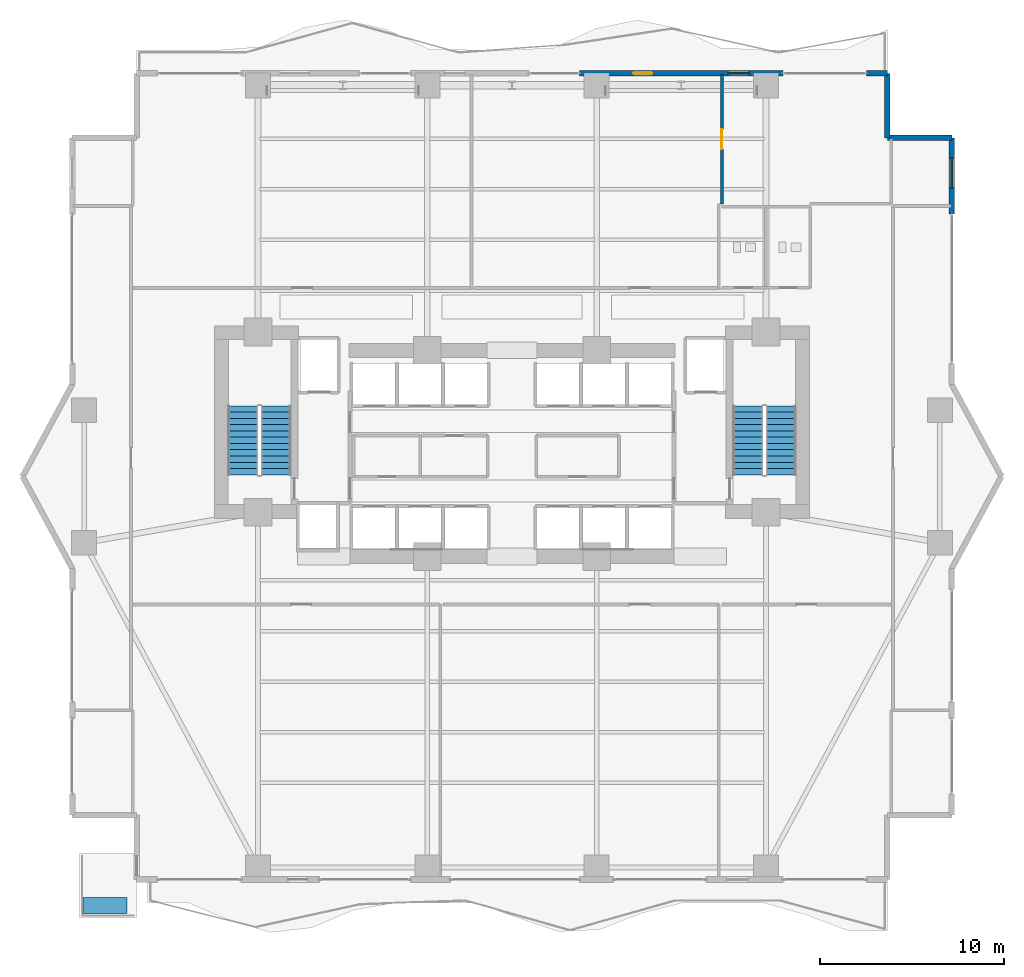
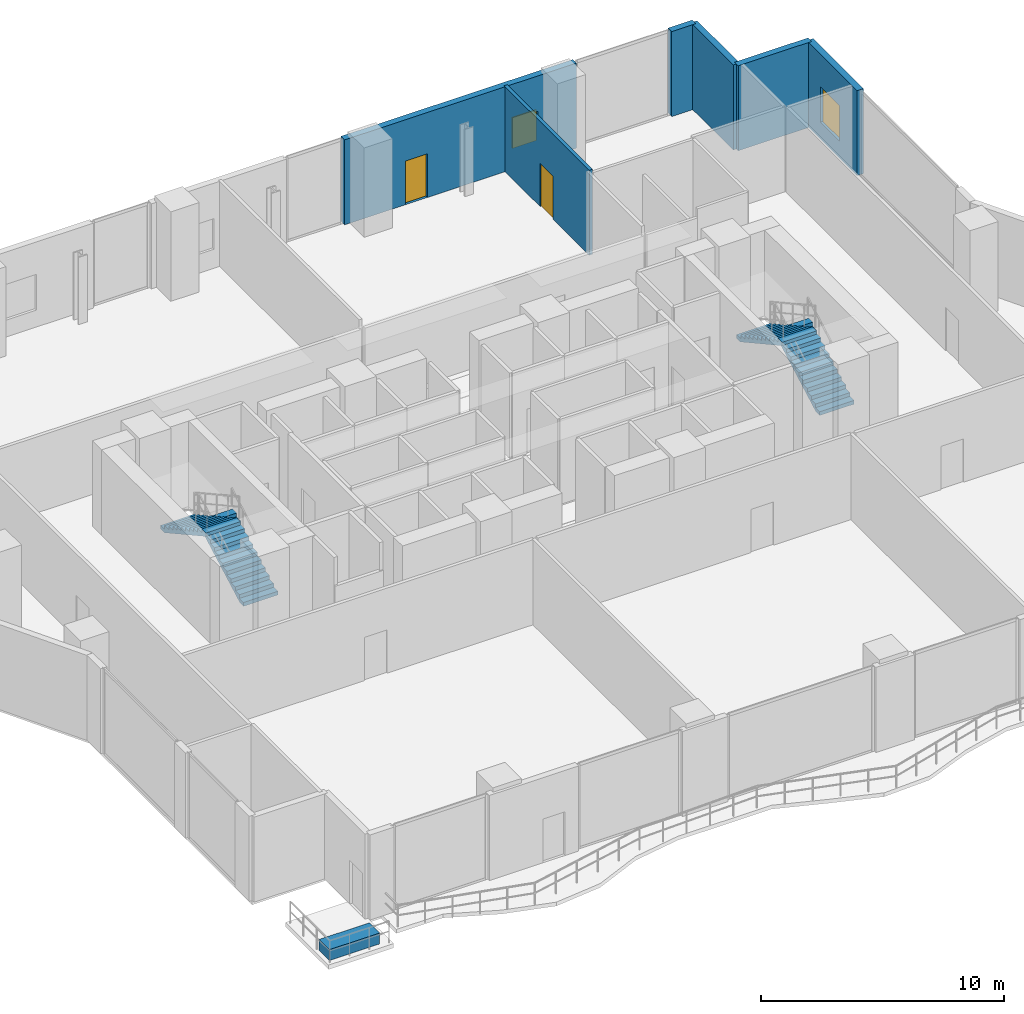
# One storey, part 29 of 33: 6 walls, 4 stair flights, 2 doors, 2 windows, 1 building element part, 4 openings, 2 elements without a shape of their own.
"""IFC4 building model written with IfcOpenShell, lengths in metres."""

import ifcopenshell
import ifcopenshell.guid

model = None  # the IFC model being written
_history = None  # IfcOwnerHistory: only IFC2X3 demands one
_inside = {}  # id of a spatial element -> (the spatial element, [elements in it])
_under = {}  # id of a project, library or spatial element -> (it, [spatial elements below it])
_declared = {}  # id of a project -> (the project, [libraries it declares])
_typed = {}  # id of a type object -> (the type object, [elements of that type])
_made_of = {}  # id of a material, layer set ... -> (it, [elements and type objects made of it])


def new_model(schema):
    """Start an empty IFC model of exactly this schema.

    Asked for "IFC4X3", IfcOpenShell would pick the latest addendum, in which some entities
    have other attributes; the version numbers below select the first issue.
    IFC2X3 requires an IfcOwnerHistory on every rooted entity: one is made here for all.
    """
    global model, _history
    if schema == "IFC4X3":
        model = ifcopenshell.file(schema_version=(4, 3, 0, 0))
    else:
        model = ifcopenshell.file(schema=schema)
    _inside.clear()
    _under.clear()
    _declared.clear()
    _typed.clear()
    _made_of.clear()
    _history = None
    if model.schema == "IFC2X3":
        org = make("IfcOrganization", Name="unknown")
        user = make(
            "IfcPersonAndOrganization",
            ThePerson=make("IfcPerson", FamilyName="unknown"),
            TheOrganization=org,
        )
        app = make(
            "IfcApplication",
            ApplicationDeveloper=org,
            Version="unknown",
            ApplicationFullName="unknown",
            ApplicationIdentifier="unknown",
        )
        _history = make(
            "IfcOwnerHistory",
            OwningUser=user,
            OwningApplication=app,
            ChangeAction="ADDED",
            CreationDate=0,
        )
    return model


def make(cls, **values):
    """One entity of the class cls with the attributes given. An attribute that is None is left unset."""
    return model.create_entity(
        cls, **{name: value for name, value in values.items() if value is not None}
    )


def rooted(cls, **values):
    """An entity with a GlobalId (a new one), such as an element, a storey or a relation."""
    return make(cls, GlobalId=ifcopenshell.guid.new(), OwnerHistory=_history, **values)


def si_unit(unit_type, name, prefix=None):
    """IfcSIUnit, for example si_unit("LENGTHUNIT", "METRE", prefix="MILLI")."""
    return make("IfcSIUnit", UnitType=unit_type, Prefix=prefix, Name=name)


def assignment(units):
    """IfcUnitAssignment: the units of a project."""
    return None if units is None else make("IfcUnitAssignment", Units=units)


def point(xyz):
    """IfcCartesianPoint."""
    return None if xyz is None else make("IfcCartesianPoint", Coordinates=xyz)


def direction(xyz):
    """IfcDirection."""
    return None if xyz is None else make("IfcDirection", DirectionRatios=xyz)


def frame(location, z_axis=None, x_axis=None):
    """IfcAxis2Placement3D, a coordinate frame: its origin and axes. An axis left out is left unset."""
    return make(
        "IfcAxis2Placement3D",
        Location=point(location),
        Axis=direction(z_axis),
        RefDirection=direction(x_axis),
    )


def frame_2d(location, x_axis=None):
    """IfcAxis2Placement2D, a coordinate frame in the plane: its origin and x axis."""
    return make(
        "IfcAxis2Placement2D", Location=point(location), RefDirection=direction(x_axis)
    )


def origin():
    """The frame at (0, 0, 0) with its axes left unset."""
    return frame((0.0, 0.0, 0.0))


def origin_2d():
    """The frame at (0, 0) in the plane with its x axis left unset."""
    return frame_2d((0.0, 0.0))


def place(relative_to, where):
    """IfcLocalPlacement: puts the frame where relative to a parent placement (None: the world)."""
    return make(
        "IfcLocalPlacement", PlacementRelTo=relative_to, RelativePlacement=where
    )


def context(
    kind, dimensions, precision=None, world=None, true_north=None, identifier=None
):
    """IfcGeometricRepresentationContext, for example the 3D "Model" context."""
    return make(
        "IfcGeometricRepresentationContext",
        ContextIdentifier=identifier,
        ContextType=kind,
        CoordinateSpaceDimension=dimensions,
        Precision=precision,
        WorldCoordinateSystem=world,
        TrueNorth=true_north,
    )


def subcontext(parent, identifier, kind, view, scale=None):
    """IfcGeometricRepresentationSubContext, for example "Body" below "Model"."""
    return make(
        "IfcGeometricRepresentationSubContext",
        ContextIdentifier=identifier,
        ContextType=kind,
        ParentContext=parent,
        TargetScale=scale,
        TargetView=view,
    )


def project(units=None, contexts=None):
    """IfcProject with its units and contexts."""
    return rooted(
        "IfcProject",
        Name="project",
        RepresentationContexts=contexts,
        UnitsInContext=assignment(units),
    )


def spatial(cls, under=None, at=None, **own):
    """A site, building, storey or space (cls), placed at a placement, below another one or the project."""
    s = rooted(cls, ObjectPlacement=at, **own)
    if under is not None:
        _under.setdefault(under.id(), (under, []))[1].append(s)
    return s


def polyline(points):
    """IfcPolyline through the points."""
    return make("IfcPolyline", Points=[point(p) for p in points])


def profile(cls, at=None, kind="AREA", **sizes):
    """A parametric profile (cls). Its sizes go by their IFC names, for example OverallWidth=200.0."""
    return make(cls, ProfileType=kind, Position=at, **sizes)


def rectangle(**sizes):
    """IfcRectangleProfileDef."""
    return profile("IfcRectangleProfileDef", **sizes)


def outline(outer, holes=None, kind="AREA"):
    """IfcArbitraryClosedProfileDef: a profile drawn as a closed curve; with holes, ...WithVoids."""
    if holes is None:
        return make("IfcArbitraryClosedProfileDef", ProfileType=kind, OuterCurve=outer)
    return make(
        "IfcArbitraryProfileDefWithVoids",
        ProfileType=kind,
        OuterCurve=outer,
        InnerCurves=holes,
    )


def extrude(swept, where, along, depth):
    """IfcExtrudedAreaSolid: the profile swept, set in the frame where, extruded along a direction by depth."""
    return make(
        "IfcExtrudedAreaSolid",
        SweptArea=swept,
        Position=where,
        ExtrudedDirection=direction(along),
        Depth=depth,
    )


def shape(context_of_items, identifier, shape_type, items):
    """IfcShapeRepresentation: the items that make up one representation, for example the "Body"."""
    return make(
        "IfcShapeRepresentation",
        ContextOfItems=context_of_items,
        RepresentationIdentifier=identifier,
        RepresentationType=shape_type,
        Items=items,
    )


def material(Name=None, Category=None):
    """IfcMaterial."""
    return make("IfcMaterial", Name=Name, Category=Category)


def layer(
    of_material, thickness, ventilated=None, Name=None, Category=None, Priority=None
):
    """IfcMaterialLayer: one layer of a wall or slab, of a material (None: an air gap)."""
    return make(
        "IfcMaterialLayer",
        Material=of_material,
        LayerThickness=thickness,
        IsVentilated=ventilated,
        Name=Name,
        Category=Category,
        Priority=Priority,
    )


def layer_set(layers, Name=None):
    """IfcMaterialLayerSet."""
    return make("IfcMaterialLayerSet", MaterialLayers=layers, LayerSetName=Name)


def made_of(thing, what):
    """Note that an element or type object is made of a material, layer set ...; save() writes the relation."""
    if what is not None:
        _made_of.setdefault(what.id(), (what, []))[1].append(thing)
    return thing


def type_object(cls, material=None, **own):
    """A type object (cls), such as IfcWallType, which elements share."""
    return made_of(rooted(cls, **own), material)


def element(
    cls,
    number,
    at=None,
    inside=None,
    cuts=None,
    type_object=None,
    material=None,
    context=None,
    identifier="Body",
    shape_type=None,
    held_by="IfcProductDefinitionShape",
    body=None,
    shapes=None,
    **own,
):
    """One element of the class cls, such as IfcWall. Its Tag is "e" and its number.

    at: its placement. inside: the storey or other place that contains it. cuts: it is an
    opening in that element (IfcRelVoidsElement). A single representation is given by context,
    identifier, shape_type and body (its items); several are given by shapes. held_by: the class
    of the entity that holds the representations. save() writes the other relations.
    """
    e = rooted(cls, Tag="e%d" % number, ObjectPlacement=at, **own)
    if body is not None:
        shapes = [shape(context, identifier, shape_type, body)]
    if shapes is not None:
        e.Representation = make(held_by, Representations=shapes)
    if inside is not None:
        _inside.setdefault(inside.id(), (inside, []))[1].append(e)
    if cuts is not None:
        rooted(
            "IfcRelVoidsElement", RelatingBuildingElement=cuts, RelatedOpeningElement=e
        )
    if type_object is not None:
        _typed.setdefault(type_object.id(), (type_object, []))[1].append(e)
    return made_of(e, material)


def fill(opening, filler):
    """IfcRelFillsElement: the door or window that sits in an opening."""
    return rooted(
        "IfcRelFillsElement",
        RelatingOpeningElement=opening,
        RelatedBuildingElement=filler,
    )


def aggregate(whole, parts):
    """IfcRelAggregates: a whole, such as a stair, and the parts it consists of."""
    return rooted("IfcRelAggregates", RelatingObject=whole, RelatedObjects=parts)


def save(model, path):
    """Write the relations noted so far, then the file.

    IfcRelAggregates (storeys below a building ...), IfcRelContainedInSpatialStructure (elements
    in a storey), IfcRelDefinesByType, IfcRelAssociatesMaterial and IfcRelDeclares: one each for
    every whole, place, type object, material and project.
    """
    for whole, parts in _under.values():
        aggregate(whole, parts)
    for where, things in _inside.values():
        rooted(
            "IfcRelContainedInSpatialStructure",
            RelatedElements=things,
            RelatingStructure=where,
        )
    for kind, things in _typed.values():
        rooted("IfcRelDefinesByType", RelatedObjects=things, RelatingType=kind)
    for what, things in _made_of.values():
        rooted("IfcRelAssociatesMaterial", RelatedObjects=things, RelatingMaterial=what)
    for by, libraries in _declared.values():
        rooted("IfcRelDeclares", RelatingContext=by, RelatedDefinitions=libraries)
    model.write(path)


model = new_model("IFC4")

# Units and contexts
model_context = context("Model", 3, precision=1e-05, world=origin(), true_north=direction((0.0, 1.0)))
body_context = subcontext(model_context, "Body", "Model", "MODEL_VIEW")
ifc_project = project(units=[si_unit("LENGTHUNIT", "METRE"), si_unit("AREAUNIT", "SQUARE_METRE"), si_unit("VOLUMEUNIT", "CUBIC_METRE"), si_unit("PLANEANGLEUNIT", "RADIAN"), si_unit("MASSUNIT", "GRAM", prefix="KILO")], contexts=[model_context])

# Site, building, storey
site_placement = place(None, origin())
site = spatial("IfcSite", under=ifc_project, at=site_placement, CompositionType="ELEMENT")
building_placement = place(site_placement, origin())
building = spatial("IfcBuilding", under=site, at=building_placement, Name="Zuhayl Quay Hotel", CompositionType="ELEMENT")
storey_placement = place(building_placement, frame((0.0, 0.0, 154.050048828125)))
storey = spatial("IfcBuildingStorey", under=building, at=storey_placement, Name="L39", CompositionType="ELEMENT", Elevation=154.050048828125)

# Wall, openings, door, window
ifc_material_1 = material(Name="Precast concrete C45/55", Category="concrete")
ifc_layer_1 = layer(ifc_material_1, 0.300048828125, Name="Precast concrete C45/55", Category="concrete")
ifc_layer_set_1 = layer_set([ifc_layer_1], Name="Precast concrete C45/55")
wall_type_1 = type_object("IfcWallType", Name="WL_EXT_300", PredefinedType="STANDARD", material=ifc_layer_set_1)
wall_1_placement = place(storey_placement, frame((3.679931640625, 28.39990234375, 0.0), z_axis=(0.0, 0.0, 1.0), x_axis=(1.0, 0.0, 0.0)))
wall_1 = element("IfcWall", 1, at=wall_1_placement, inside=storey, type_object=wall_type_1, Name="L39 Exterior Precast Wall ENV_L39_N_EW4", PredefinedType="STANDARD", context=body_context, shape_type="SweptSolid", body=[
    extrude(rectangle(XDim=11.0400390625, YDim=0.300048828125, at=frame_2d((5.52001953125, 0.0))), origin(), (0.0, 0.0, 1.0), 4.280029296875),
])
opening_1_placement = place(wall_1_placement, frame((2.89501953125, 0.0, 0.0)))
opening_1 = element("IfcOpeningElement", 2, at=opening_1_placement, cuts=wall_1, Name="Opening DG1", PredefinedType="OPENING", context=body_context, shape_type="SweptSolid", body=[
    extrude(rectangle(XDim=1.050048828125, YDim=2.199951171875, at=frame_2d((0.52490234375, 1.10009765625))), frame((0.0, 0.159912109375, 0.0), z_axis=(0.0, -1.0, 0.0), x_axis=(1.0, 0.0, 0.0)), (0.0, 0.0, 1.0), 0.320068359375),
])
opening_2_placement = place(wall_1_placement, frame((8.054931640625, 0.0, 0.949951171875)))
opening_2 = element("IfcOpeningElement", 3, at=opening_2_placement, cuts=wall_1, Name="Opening W01N", PredefinedType="OPENING", context=body_context, shape_type="SweptSolid", body=[
    extrude(rectangle(XDim=1.14990234375, YDim=1.550048828125, at=frame_2d((0.574951171875, 0.77490234375))), frame((0.0, 0.159912109375, 0.0), z_axis=(0.0, -1.0, 0.0), x_axis=(1.0, 0.0, 0.0)), (0.0, 0.0, 1.0), 0.320068359375),
])
ifc_material_2 = material(Name="Anodised Aluminium and Dark Solar Glass", Category="aluminium")
door_type_1 = type_object("IfcDoorType", Name="DR_EXT_TERR_1050", OperationType="NOTDEFINED", PredefinedType="DOOR", material=ifc_material_2)
door_1_placement = place(opening_1_placement, origin())
door_1 = element("IfcDoor", 4, at=door_1_placement, inside=storey, type_object=door_type_1, Name="L39 North Rippling Balcony Door", OperationType="SINGLE_SWING_LEFT", OverallHeight=2.199951171875, OverallWidth=1.050048828125, PredefinedType="DOOR", context=body_context, shape_type="SweptSolid", body=[
    extrude(rectangle(XDim=1.050048828125, YDim=2.199951171875, at=frame_2d((0.52490234375, 1.10009765625))), frame((0.0, 0.02490234375, 0.0), z_axis=(0.0, -1.0, 0.0), x_axis=(1.0, 0.0, 0.0)), (0.0, 0.0, 1.0), 0.050048828125),
])
fill(opening_1, door_1)
ifc_material_3 = material(Name="Dark Ceramic-Fritted Solar Glass", Category="glass")
window_type_1 = type_object("IfcWindowType", Name="WN_NOTCH_1350", PartitioningType="SINGLE_PANEL", PredefinedType="WINDOW", material=ifc_material_3)
window_1_placement = place(opening_2_placement, origin())
window_1 = element("IfcWindow", 5, at=window_1_placement, inside=storey, type_object=window_type_1, Name="L39 Operable Facade Window 4-1", OverallHeight=1.550048828125, OverallWidth=1.14990234375, PartitioningType="SINGLE_PANEL", PredefinedType="WINDOW", context=body_context, shape_type="SweptSolid", body=[
    extrude(rectangle(XDim=1.14990234375, YDim=1.550048828125, at=frame_2d((0.574951171875, 0.77490234375))), frame((0.0, 0.030029296875, 0.0), z_axis=(0.0, -1.0, 0.0), x_axis=(1.0, 0.0, 0.0)), (0.0, 0.0, 1.0), 0.06005859375),
])
fill(opening_2, window_1)

# Walls
wall_2_placement = place(storey_placement, frame((19.25, 28.39990234375, 0.0), z_axis=(0.0, 0.0, 1.0), x_axis=(1.0, 0.0, 0.0)))
element("IfcWall", 6, at=wall_2_placement, inside=storey, type_object=wall_type_1, Name="L39 Exterior Precast Wall ENV_L39_N_EW5", PredefinedType="STANDARD", context=body_context, shape_type="SweptSolid", body=[
    extrude(rectangle(XDim=1.14990234375, YDim=0.300048828125, at=frame_2d((0.574951171875, 0.0))), origin(), (0.0, 0.0, 1.0), 4.280029296875),
])
for number, where, z_axis, x_axis, name in (
    (7, (20.39990234375, 28.39990234375, 0.0), (0.0, 0.0, 1.0), (0.0, -1.0, 0.0), "L39 Exterior Precast Wall ENV_L39_EW09"),
    (8, (20.39990234375, 24.89990234375, 0.0), (0.0, 0.0, 1.0), (1.0, 0.0, 0.0), "L39 Exterior Precast Wall ENV_L39_EW10"),
):
    element("IfcWall", number, at=place(storey_placement, frame(where, z_axis=z_axis, x_axis=x_axis)), inside=storey, type_object=wall_type_1, Name=name, PredefinedType="STANDARD", context=body_context, shape_type="SweptSolid", body=[
        extrude(rectangle(XDim=3.5, YDim=0.300048828125, at=frame_2d((1.75, 0.0))), origin(), (0.0, 0.0, 1.0), 4.280029296875),
    ])

# Wall, opening, window
wall_3_placement = place(storey_placement, frame((23.89990234375, 24.89990234375, 0.0), z_axis=(0.0, 0.0, 1.0), x_axis=(0.0, -1.0, 0.0)))
wall_3 = element("IfcWall", 9, at=wall_3_placement, inside=storey, type_object=wall_type_1, Name="L39 Exterior Precast Wall ENV_L39_E11_EW1", PredefinedType="STANDARD", context=body_context, shape_type="SweptSolid", body=[
    extrude(rectangle(XDim=4.14990234375, YDim=0.300048828125, at=frame_2d((2.074951171875, 0.0))), origin(), (0.0, 0.0, 1.0), 4.280029296875),
])
opening_3_placement = place(wall_3_placement, frame((1.110107421875, 0.0, 0.85009765625)))
opening_3 = element("IfcOpeningElement", 10, at=opening_3_placement, cuts=wall_3, Name="Opening W01", PredefinedType="OPENING", context=body_context, shape_type="SweptSolid", body=[
    extrude(rectangle(XDim=1.60009765625, YDim=1.800048828125, at=frame_2d((0.800048828125, 0.89990234375))), frame((0.0, 0.159912109375, 0.0), z_axis=(0.0, -1.0, 0.0), x_axis=(1.0, 0.0, 0.0)), (0.0, 0.0, 1.0), 0.320068359375),
])
window_type_2 = type_object("IfcWindowType", Name="WN_OPERABLE_1600", PartitioningType="DOUBLE_PANEL_VERTICAL", PredefinedType="WINDOW", material=ifc_material_3)
window_2_placement = place(opening_3_placement, origin())
window_2 = element("IfcWindow", 11, at=window_2_placement, inside=storey, type_object=window_type_2, Name="L39 Operable Facade Window 1-1", OverallHeight=1.800048828125, OverallWidth=1.60009765625, PartitioningType="SINGLE_PANEL", PredefinedType="WINDOW", context=body_context, shape_type="SweptSolid", body=[
    extrude(rectangle(XDim=1.60009765625, YDim=1.800048828125, at=frame_2d((0.800048828125, 0.89990234375))), frame((0.0, 0.030029296875, 0.0), z_axis=(0.0, -1.0, 0.0), x_axis=(1.0, 0.0, 0.0)), (0.0, 0.0, 1.0), 0.06005859375),
])
fill(opening_3, window_2)

# Wall, opening, door
ifc_material_4 = material(Name="Acoustic Gypsum Partition STC-58")
ifc_layer_2 = layer(ifc_material_4, 0.159912109375, Name="Acoustic Gypsum Partition STC-58")
ifc_layer_set_2 = layer_set([ifc_layer_2], Name="Acoustic Gypsum Partition STC-58")
wall_type_2 = type_object("IfcWallType", Name="WL_PART_CORR_160", PredefinedType="PARTITIONING", material=ifc_layer_set_2)
wall_4_placement = place(storey_placement, frame((11.39990234375, 21.31005859375, 0.0), z_axis=(0.0, 0.0, 1.0), x_axis=(0.0, 1.0, 0.0)))
wall_4 = element("IfcWall", 12, at=wall_4_placement, inside=storey, type_object=wall_type_2, Name="L39 Partition IW_L39_SKY_LOUNGE_NE_W", PredefinedType="PARTITIONING", context=body_context, shape_type="SweptSolid", body=[
    extrude(rectangle(XDim=7.030029296875, YDim=0.159912109375, at=frame_2d((3.51513671875, 0.0))), origin(), (0.0, 0.0, 1.0), 4.280029296875),
])
opening_4_placement = place(wall_4_placement, frame((2.97509765625, 0.0, 0.0)))
opening_4 = element("IfcOpeningElement", 13, at=opening_4_placement, cuts=wall_4, Name="Opening D05A", PredefinedType="OPENING", context=body_context, shape_type="SweptSolid", body=[
    extrude(rectangle(XDim=1.080078125, YDim=2.179931640625, at=frame_2d((0.5400390625, 1.08984375))), frame((0.0, 0.08984375, 0.0), z_axis=(0.0, -1.0, 0.0), x_axis=(1.0, 0.0, 0.0)), (0.0, 0.0, 1.0), 0.179931640625),
])
ifc_material_5 = material(Name="Solid Walnut Acoustic Fire Door")
door_type_2 = type_object("IfcDoorType", Name="DR_INT_1100", OperationType="NOTDEFINED", PredefinedType="DOOR", material=ifc_material_5)
door_2_placement = place(opening_4_placement, origin())
door_2 = element("IfcDoor", 14, at=door_2_placement, inside=storey, type_object=door_type_2, Name="L39 North-East Sky Lounge Alcove Door", OperationType="SINGLE_SWING_RIGHT", OverallHeight=2.179931640625, OverallWidth=1.080078125, PredefinedType="DOOR", context=body_context, shape_type="SweptSolid", body=[
    extrude(rectangle(XDim=1.080078125, YDim=2.179931640625, at=frame_2d((0.5400390625, 1.08984375))), frame((0.0, 0.02490234375, 0.0), z_axis=(0.0, -1.0, 0.0), x_axis=(1.0, 0.0, 0.0)), (0.0, 0.0, 1.0), 0.050048828125),
])
fill(opening_4, door_2)

# Stair, stair flights
ifc_material_6 = material(Name="Concrete C45/55", Category="concrete")
stair_type = type_object("IfcStairType", Name="ST_DOGLEG_TOWER", PredefinedType="HALF_TURN_STAIR", material=ifc_material_6)
stair_1_placement = place(storey_placement, origin())
stair_1 = element("IfcStair", 15, at=stair_1_placement, inside=storey, type_object=stair_type, Name="L39 Smokeproof Exit Stair ST1", PredefinedType="HALF_TURN_STAIR")
ifc_layer_3 = layer(ifc_material_6, 0.159912109375, Name="Concrete C45/55", Category="concrete")
ifc_layer_set_3 = layer_set([ifc_layer_3], Name="Concrete C45/55")
stair_flight_type = type_object("IfcStairFlightType", Name="SF_CONC_164", PredefinedType="STRAIGHT", material=ifc_layer_set_3)
stair_flight_1_placement = place(storey_placement, frame((-12.820068359375, 6.590087890625, 0.0), z_axis=(0.0, 0.0, 1.0), x_axis=(0.0, 1.0, 0.0)))
stair_flight_1 = element("IfcStairFlight", 16, at=stair_flight_1_placement, type_object=stair_flight_type, Name="ST1 flight 1", NumberOfRisers=12, NumberOfTreads=11, PredefinedType="STRAIGHT", RiserHeight=0.1875, TreadLength=0.34, context=body_context, shape_type="SweptSolid", body=[
    extrude(outline(polyline([(0.0, 0.0), (0.0, 0.1875), (0.340087890625, 0.1875), (0.340087890625, 0.375), (0.679931640625, 0.375), (0.679931640625, 0.5625), (1.02001953125, 0.5625), (1.02001953125, 0.75), (1.360107421875, 0.75), (1.360107421875, 0.9375), (1.699951171875, 0.9375), (1.699951171875, 1.125), (2.0400390625, 1.125), (2.0400390625, 1.3125), (2.3798828125, 1.3125), (2.3798828125, 1.5), (2.719970703125, 1.5), (2.719970703125, 1.6875), (3.06005859375, 1.6875), (3.06005859375, 1.875), (3.39990234375, 1.875), (3.39990234375, 2.0625), (3.739990234375, 2.0625), (3.739990234375, 2.25), (3.739990234375, 1.891357421875), (0.310302734375, 0.0), (0.0, 0.0)])), frame((0.0, 0.81982421875, 0.0), z_axis=(0.0, -1.0, 0.0), x_axis=(1.0, 0.0, 0.0)), (0.0, 0.0, 1.0), 1.639892578125),
])
stair_flight_2_placement = place(storey_placement, frame((-14.610107421875, 10.330078125, 2.25), z_axis=(0.0, 0.0, 1.0), x_axis=(0.0, -1.0, 0.0)))
stair_flight_2 = element("IfcStairFlight", 17, at=stair_flight_2_placement, type_object=stair_flight_type, Name="ST1 flight 2", NumberOfRisers=12, NumberOfTreads=11, PredefinedType="STRAIGHT", RiserHeight=0.1875, TreadLength=0.34, context=body_context, shape_type="SweptSolid", body=[
    extrude(outline(polyline([(0.0, 0.0), (0.0, 0.1875), (0.340087890625, 0.1875), (0.340087890625, 0.375), (0.679931640625, 0.375), (0.679931640625, 0.5625), (1.02001953125, 0.5625), (1.02001953125, 0.75), (1.360107421875, 0.75), (1.360107421875, 0.9375), (1.699951171875, 0.9375), (1.699951171875, 1.125), (2.0400390625, 1.125), (2.0400390625, 1.3125), (2.3798828125, 1.3125), (2.3798828125, 1.5), (2.719970703125, 1.5), (2.719970703125, 1.6875), (3.06005859375, 1.6875), (3.06005859375, 1.875), (3.39990234375, 1.875), (3.39990234375, 2.0625), (3.739990234375, 2.0625), (3.739990234375, 2.25), (3.739990234375, 1.891357421875), (0.310302734375, 0.0), (0.0, 0.0)])), frame((0.0, 0.81982421875, 0.0), z_axis=(0.0, -1.0, 0.0), x_axis=(1.0, 0.0, 0.0)), (0.0, 0.0, 1.0), 1.639892578125),
])
aggregate(stair_1, [stair_flight_1, stair_flight_2])

stair_2_placement = place(storey_placement, origin())
stair_2 = element("IfcStair", 18, at=stair_2_placement, inside=storey, type_object=stair_type, Name="L39 Smokeproof Exit Stair ST2", PredefinedType="HALF_TURN_STAIR")
stair_flight_3_placement = place(storey_placement, frame((14.610107421875, 6.590087890625, 0.0), z_axis=(0.0, 0.0, 1.0), x_axis=(0.0, 1.0, 0.0)))
stair_flight_3 = element("IfcStairFlight", 19, at=stair_flight_3_placement, type_object=stair_flight_type, Name="ST2 flight 1", NumberOfRisers=12, NumberOfTreads=11, PredefinedType="STRAIGHT", RiserHeight=0.1875, TreadLength=0.34, context=body_context, shape_type="SweptSolid", body=[
    extrude(outline(polyline([(0.0, 0.0), (0.0, 0.1875), (0.340087890625, 0.1875), (0.340087890625, 0.375), (0.679931640625, 0.375), (0.679931640625, 0.5625), (1.02001953125, 0.5625), (1.02001953125, 0.75), (1.360107421875, 0.75), (1.360107421875, 0.9375), (1.699951171875, 0.9375), (1.699951171875, 1.125), (2.0400390625, 1.125), (2.0400390625, 1.3125), (2.3798828125, 1.3125), (2.3798828125, 1.5), (2.719970703125, 1.5), (2.719970703125, 1.6875), (3.06005859375, 1.6875), (3.06005859375, 1.875), (3.39990234375, 1.875), (3.39990234375, 2.0625), (3.739990234375, 2.0625), (3.739990234375, 2.25), (3.739990234375, 1.891357421875), (0.310302734375, 0.0), (0.0, 0.0)])), frame((0.0, 0.81982421875, 0.0), z_axis=(0.0, -1.0, 0.0), x_axis=(1.0, 0.0, 0.0)), (0.0, 0.0, 1.0), 1.639892578125),
])
stair_flight_4_placement = place(storey_placement, frame((12.820068359375, 10.330078125, 2.25), z_axis=(0.0, 0.0, 1.0), x_axis=(0.0, -1.0, 0.0)))
stair_flight_4 = element("IfcStairFlight", 20, at=stair_flight_4_placement, type_object=stair_flight_type, Name="ST2 flight 2", NumberOfRisers=12, NumberOfTreads=11, PredefinedType="STRAIGHT", RiserHeight=0.1875, TreadLength=0.34, context=body_context, shape_type="SweptSolid", body=[
    extrude(outline(polyline([(0.0, 0.0), (0.0, 0.1875), (0.340087890625, 0.1875), (0.340087890625, 0.375), (0.679931640625, 0.375), (0.679931640625, 0.5625), (1.02001953125, 0.5625), (1.02001953125, 0.75), (1.360107421875, 0.75), (1.360107421875, 0.9375), (1.699951171875, 0.9375), (1.699951171875, 1.125), (2.0400390625, 1.125), (2.0400390625, 1.3125), (2.3798828125, 1.3125), (2.3798828125, 1.5), (2.719970703125, 1.5), (2.719970703125, 1.6875), (3.06005859375, 1.6875), (3.06005859375, 1.875), (3.39990234375, 1.875), (3.39990234375, 2.0625), (3.739990234375, 2.0625), (3.739990234375, 2.25), (3.739990234375, 1.891357421875), (0.310302734375, 0.0), (0.0, 0.0)])), frame((0.0, 0.81982421875, 0.0), z_axis=(0.0, -1.0, 0.0), x_axis=(1.0, 0.0, 0.0)), (0.0, 0.0, 1.0), 1.639892578125),
])
aggregate(stair_2, [stair_flight_3, stair_flight_4])

# Building element part
ifc_layer_4 = layer(ifc_material_1, 0.550048828125, Name="Precast concrete C45/55", Category="concrete")
ifc_layer_set_4 = layer_set([ifc_layer_4], Name="Precast concrete C45/55")
building_element_part_type = type_object("IfcBuildingElementPartType", Name="PT_PLANTER_KERB", PredefinedType="PRECASTPANEL", material=ifc_layer_set_4)
building_element_part_placement = place(storey_placement, frame((-22.110107421875, -16.81005859375, 0.0), z_axis=(0.0, 0.0, 1.0), x_axis=(1.0, 0.0, 0.0)))
element("IfcBuildingElementPart", 21, at=building_element_part_placement, inside=storey, type_object=building_element_part_type, Name="L39 Spiral Sky-Terrace Planter Box SW", PredefinedType="PRECASTPANEL", context=body_context, shape_type="SweptSolid", body=[
    extrude(rectangle(XDim=2.39990234375, YDim=0.85009765625, at=origin_2d()), origin(), (0.0, 0.0, 1.0), 0.550048828125),
])

save(model, "model.ifc")
